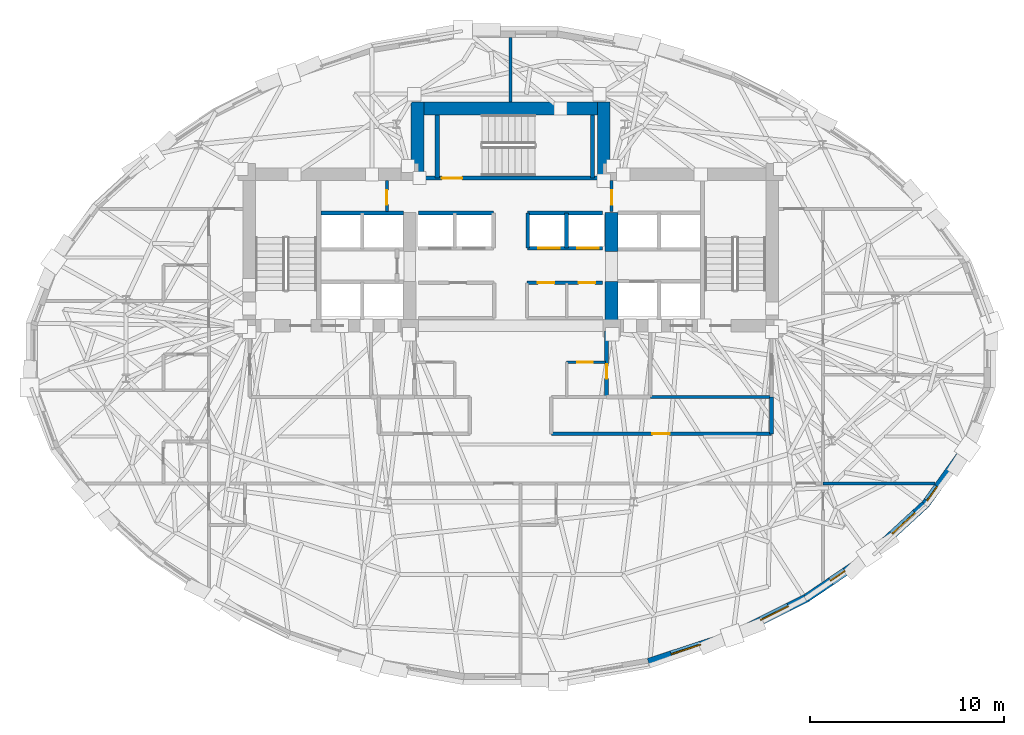
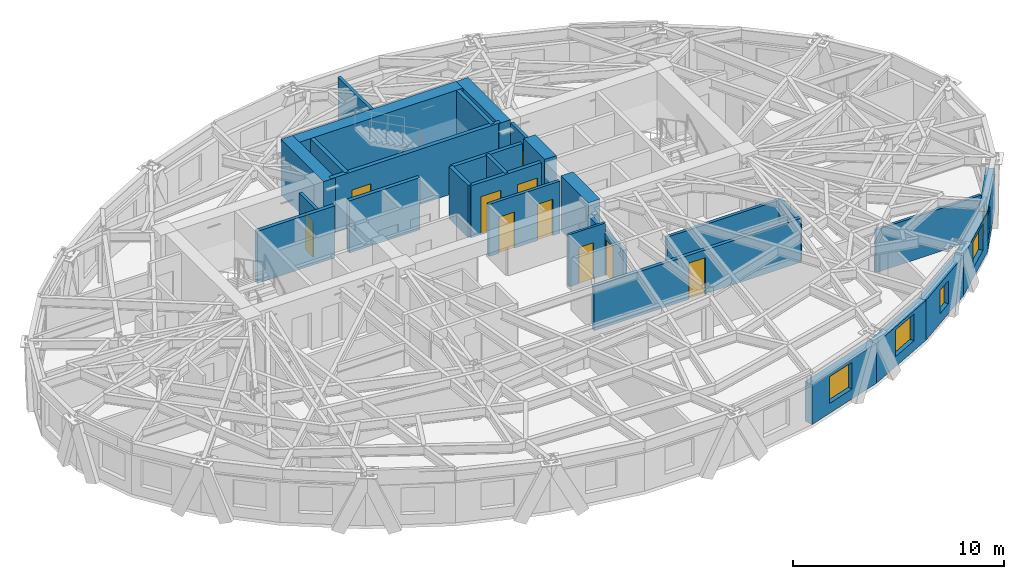
# One storey, part 8 of 14: 29 walls, 10 doors, 5 windows, 15 openings.
"""IFC4 building model written with IfcOpenShell, lengths in metres."""

from ifc_helpers import new_model, si_unit, direction, frame, frame_2d, origin, place, context, subcontext, project, spatial, rectangle, extrude, material, layer, layer_set, type_object, element, fill, save


model = new_model("IFC4")

# Units and contexts
model_context = context("Model", 3, precision=1e-05, world=origin(), true_north=direction((0.0, 1.0)))
body_context = subcontext(model_context, "Body", "Model", "MODEL_VIEW")
ifc_project = project(units=[si_unit("LENGTHUNIT", "METRE"), si_unit("AREAUNIT", "SQUARE_METRE"), si_unit("VOLUMEUNIT", "CUBIC_METRE"), si_unit("PLANEANGLEUNIT", "RADIAN"), si_unit("MASSUNIT", "GRAM", prefix="KILO")], contexts=[model_context])

# Site, building, storey
site_placement = place(None, origin())
site = spatial("IfcSite", under=ifc_project, at=site_placement, CompositionType="ELEMENT")
building_placement = place(site_placement, origin())
building = spatial("IfcBuilding", under=site, at=building_placement, Name="Keldmark Tower", CompositionType="ELEMENT")
storey_placement = place(building_placement, frame((0.0, 0.0, 172.60009765625)))
storey = spatial("IfcBuildingStorey", under=building, at=storey_placement, Name="L47", CompositionType="ELEMENT", Elevation=172.60009765625)

# Wall, opening, door
ifc_material_1 = material(Name="Heavy Acoustic Plumbing Chase Gypsum Assembly", Category="gypsum")
ifc_layer_1 = layer(ifc_material_1, 0.18994140625)
ifc_layer_set_1 = layer_set([ifc_layer_1], Name="Heavy Acoustic Plumbing Chase Gypsum Assembly")
wall_type_1 = type_object("IfcWallType", Name="Heavy Wet Wall 190 mm", PredefinedType="PLUMBINGWALL", material=ifc_layer_set_1)
wall_1_placement = place(storey_placement, frame((2.10009765625, -4.050048828125, 0.0), z_axis=(0.0, 0.0, 1.0), x_axis=(1.0, 0.0, 0.0)))
wall_1 = element("IfcWall", 1, at=wall_1_placement, inside=storey, type_object=wall_type_1, Name="L47 Heavy Wet Wall 190 mm SPK-E-S", PredefinedType="PLUMBINGWALL", context=body_context, shape_type="SweptSolid", body=[
    extrude(rectangle(XDim=11.349853515625, YDim=0.18994140625, at=frame_2d((5.6748046875, 0.0))), origin(), (0.0, 0.0, 1.0), 2.554931640625),
])
opening_1_placement = place(wall_1_placement, frame((5.199951171875, 0.0, 0.0)))
opening_1 = element("IfcOpeningElement", 2, at=opening_1_placement, cuts=wall_1, Name="Opening D-IN090", PredefinedType="OPENING", context=body_context, shape_type="SweptSolid", body=[
    extrude(rectangle(XDim=0.89990234375, YDim=2.10009765625, at=frame_2d((0.449951171875, 1.050048828125))), frame((0.0, 0.10498046875, 0.0), z_axis=(0.0, -1.0, 0.0), x_axis=(1.0, 0.0, 0.0)), (0.0, 0.0, 1.0), 0.2099609375),
])
ifc_material_2 = material(Name="Stained American White Oak Veneer", Category="wood")
door_type_1 = type_object("IfcDoorType", Name="Interior Door 900x2100", OperationType="NOTDEFINED", PredefinedType="DOOR", material=ifc_material_2)
door_1_placement = place(opening_1_placement, origin())
door_1 = element("IfcDoor", 3, at=door_1_placement, inside=storey, type_object=door_type_1, Name="L47 Interior Door 900x2100 D-SPKE1-L47", OperationType="SINGLE_SWING_RIGHT", OverallHeight=2.10009765625, OverallWidth=0.89990234375, PredefinedType="DOOR", context=body_context, shape_type="SweptSolid", body=[
    extrude(rectangle(XDim=0.89990234375, YDim=2.10009765625, at=frame_2d((0.449951171875, 1.050048828125))), frame((0.0, 0.02490234375, 0.0), z_axis=(0.0, -1.0, 0.0), x_axis=(1.0, 0.0, 0.0)), (0.0, 0.0, 1.0), 0.050048828125),
])
fill(opening_1, door_1)

# Wall
wall_2_placement = place(storey_placement, frame((13.449951171875, -4.050048828125, 0.0), z_axis=(0.0, 0.0, 1.0), x_axis=(0.0, 1.0, 0.0)))
element("IfcWall", 4, at=wall_2_placement, inside=storey, type_object=wall_type_1, Name="L47 Heavy Wet Wall 190 mm SPK-E-E", PredefinedType="PLUMBINGWALL", context=body_context, shape_type="SweptSolid", body=[
    extrude(rectangle(XDim=1.900146484375, YDim=0.18994140625, at=frame_2d((0.9501953125, 0.0))), origin(), (0.0, 0.0, 1.0), 2.472900390625),
])

# Wall, opening, door
ifc_material_3 = material(Name="Acoustic Gypsum Board Interior Partition", Category="gypsum")
ifc_layer_2 = layer(ifc_material_3, 0.1298828125)
ifc_layer_set_2 = layer_set([ifc_layer_2], Name="Acoustic Gypsum Board Interior Partition")
wall_type_2 = type_object("IfcWallType", Name="Interior Partition 130 mm", PredefinedType="PARTITIONING", material=ifc_layer_set_2)
wall_3_placement = place(storey_placement, frame((2.889892578125, -0.35009765625, 0.0), z_axis=(0.0, 0.0, 1.0), x_axis=(1.0, 0.0, 0.0)))
wall_3 = element("IfcWall", 5, at=wall_3_placement, inside=storey, type_object=wall_type_2, Name="L47 Interior Partition 130 mm CSC-E-N", PredefinedType="PARTITIONING", context=body_context, shape_type="SweptSolid", body=[
    extrude(rectangle(XDim=1.989990234375, YDim=0.1298828125, at=frame_2d((0.9951171875, 0.0))), origin(), (0.0, 0.0, 1.0), 3.02001953125),
])
opening_2_placement = place(wall_3_placement, frame((0.550048828125, 0.0, 0.0)))
opening_2 = element("IfcOpeningElement", 6, at=opening_2_placement, cuts=wall_3, Name="Opening D-CL078", PredefinedType="OPENING", context=body_context, shape_type="SweptSolid", body=[
    extrude(rectangle(XDim=0.780029296875, YDim=2.10009765625, at=frame_2d((0.39013671875, 1.050048828125))), frame((0.0, 0.074951171875, 0.0), z_axis=(0.0, -1.0, 0.0), x_axis=(1.0, 0.0, 0.0)), (0.0, 0.0, 1.0), 0.14990234375),
])
ifc_material_4 = material(Name="Flush Utility Closet Timber Door", Category="wood")
door_type_2 = type_object("IfcDoorType", Name="Closet Door 780x2100", OperationType="NOTDEFINED", PredefinedType="DOOR", material=ifc_material_4)
door_2_placement = place(opening_2_placement, origin())
door_2 = element("IfcDoor", 7, at=door_2_placement, inside=storey, type_object=door_type_2, Name="L47 Closet Door 780x2100 D-CSCE1-L47", OperationType="SINGLE_SWING_RIGHT", OverallHeight=2.10009765625, OverallWidth=0.780029296875, PredefinedType="DOOR", context=body_context, shape_type="SweptSolid", body=[
    extrude(rectangle(XDim=0.780029296875, YDim=2.10009765625, at=frame_2d((0.39013671875, 1.050048828125))), frame((0.0, 0.02490234375, 0.0), z_axis=(0.0, -1.0, 0.0), x_axis=(1.0, 0.0, 0.0)), (0.0, 0.0, 1.0), 0.050048828125),
])
fill(opening_2, door_2)

# Wall
ifc_material_5 = material(Name="Type X Fire-Rated Gypsum Partition Assembly", Category="gypsum")
ifc_layer_3 = layer(ifc_material_5, 0.1650390625)
ifc_layer_set_3 = layer_set([ifc_layer_3], Name="Type X Fire-Rated Gypsum Partition Assembly")
wall_type_3 = type_object("IfcWallType", Name="Rated Partition 165 mm", PredefinedType="PARTITIONING", material=ifc_layer_set_3)
wall_4_placement = place(storey_placement, frame((7.199951171875, -2.14990234375, 0.0), z_axis=(0.0, 0.0, 1.0), x_axis=(1.0, 0.0, 0.0)))
element("IfcWall", 8, at=wall_4_placement, inside=storey, type_object=wall_type_3, Name="L47 Rated Partition 165 mm FSAE-E-S", PredefinedType="PARTITIONING", context=body_context, shape_type="SweptSolid", body=[
    extrude(rectangle(XDim=6.25, YDim=0.1650390625, at=frame_2d((3.125, 0.0))), origin(), (0.0, 0.0, 1.0), 2.472900390625),
])

# Wall, openings, doors
wall_5_placement = place(storey_placement, frame((0.85009765625, 3.739990234375, 0.0), z_axis=(0.0, 0.0, 1.0), x_axis=(1.0, 0.0, 0.0)))
wall_5 = element("IfcWall", 9, at=wall_5_placement, inside=storey, type_object=wall_type_3, Name="L47 Rated Partition 165 mm REC-LE-N", PredefinedType="PARTITIONING", context=body_context, shape_type="SweptSolid", body=[
    extrude(rectangle(XDim=3.889892578125, YDim=0.1650390625, at=frame_2d((1.94482421875, 0.0))), origin(), (0.0, 0.0, 1.0), 3.02001953125),
])
opening_3_placement = place(wall_5_placement, frame((0.550048828125, 0.0, 0.0)))
opening_3 = element("IfcOpeningElement", 10, at=opening_3_placement, cuts=wall_5, Name="Opening D-SV085", PredefinedType="OPENING", context=body_context, shape_type="SweptSolid", body=[
    extrude(rectangle(XDim=0.85009765625, YDim=2.10009765625, at=frame_2d((0.425048828125, 1.050048828125))), frame((0.0, 0.092529296875, 0.0), z_axis=(0.0, -1.0, 0.0), x_axis=(1.0, 0.0, 0.0)), (0.0, 0.0, 1.0), 0.18505859375),
])
opening_4_placement = place(wall_5_placement, frame((2.64990234375, 0.0, 0.0)))
opening_4 = element("IfcOpeningElement", 11, at=opening_4_placement, cuts=wall_5, Name="Opening D-SV085", PredefinedType="OPENING", context=body_context, shape_type="SweptSolid", body=[
    extrude(rectangle(XDim=0.85009765625, YDim=2.10009765625, at=frame_2d((0.425048828125, 1.050048828125))), frame((0.0, 0.092529296875, 0.0), z_axis=(0.0, -1.0, 0.0), x_axis=(1.0, 0.0, 0.0)), (0.0, 0.0, 1.0), 0.18505859375),
])
ifc_material_6 = material(Name="Painted Hollow Metal Door Assembly", Category="metal")
door_type_3 = type_object("IfcDoorType", Name="Service Door 850x2100", OperationType="NOTDEFINED", PredefinedType="DOOR", material=ifc_material_6)
door_3_placement = place(opening_3_placement, origin())
door_3 = element("IfcDoor", 12, at=door_3_placement, inside=storey, type_object=door_type_3, Name="L47 Service Door 850x2100 D-RECLE1-L47", OperationType="SINGLE_SWING_LEFT", OverallHeight=2.10009765625, OverallWidth=0.85009765625, PredefinedType="DOOR", context=body_context, shape_type="SweptSolid", body=[
    extrude(rectangle(XDim=0.85009765625, YDim=2.10009765625, at=frame_2d((0.425048828125, 1.050048828125))), frame((0.0, 0.02490234375, 0.0), z_axis=(0.0, -1.0, 0.0), x_axis=(1.0, 0.0, 0.0)), (0.0, 0.0, 1.0), 0.050048828125),
])
fill(opening_3, door_3)
door_4_placement = place(opening_4_placement, origin())
door_4 = element("IfcDoor", 13, at=door_4_placement, inside=storey, type_object=door_type_3, Name="L47 Service Door 850x2100 D-RECLE2-L47", OperationType="SINGLE_SWING_RIGHT", OverallHeight=2.10009765625, OverallWidth=0.85009765625, PredefinedType="DOOR", context=body_context, shape_type="SweptSolid", body=[
    extrude(rectangle(XDim=0.85009765625, YDim=2.10009765625, at=frame_2d((0.425048828125, 1.050048828125))), frame((0.0, 0.02490234375, 0.0), z_axis=(0.0, -1.0, 0.0), x_axis=(1.0, 0.0, 0.0)), (0.0, 0.0, 1.0), 0.050048828125),
])
fill(opening_4, door_4)

# Wall, opening, door
wall_6_placement = place(storey_placement, frame((-6.3798828125, 7.419921875, 0.0), z_axis=(0.0, 0.0, 1.0), x_axis=(0.0, 1.0, 0.0)))
wall_6 = element("IfcWall", 14, at=wall_6_placement, inside=storey, type_object=wall_type_3, Name="L47 Rated Partition 165 mm CS-NW-E", PredefinedType="PARTITIONING", context=body_context, shape_type="SweptSolid", body=[
    extrude(rectangle(XDim=1.580078125, YDim=0.1650390625, at=frame_2d((0.7900390625, 0.0))), origin(), (0.0, 0.0, 1.0), 3.02001953125),
])
opening_5_placement = place(wall_6_placement, frame((0.35009765625, 0.0, 0.0)))
opening_5 = element("IfcOpeningElement", 15, at=opening_5_placement, cuts=wall_6, Name="Opening D-RS075", PredefinedType="OPENING", context=body_context, shape_type="SweptSolid", body=[
    extrude(rectangle(XDim=0.75, YDim=2.10009765625, at=frame_2d((0.375, 1.050048828125))), frame((0.0, 0.092529296875, 0.0), z_axis=(0.0, -1.0, 0.0), x_axis=(1.0, 0.0, 0.0)), (0.0, 0.0, 1.0), 0.18505859375),
])
ifc_material_7 = material(Name="Galvanized Fire-Rated Access Leaf", Category="metal")
door_type_4 = type_object("IfcDoorType", Name="Riser Access Door 750x2100", OperationType="NOTDEFINED", PredefinedType="DOOR", material=ifc_material_7)
door_5_placement = place(opening_5_placement, origin())
door_5 = element("IfcDoor", 16, at=door_5_placement, inside=storey, type_object=door_type_4, Name="L47 Riser Access Door 750x2100 D-CSNW1-L47", OperationType="SINGLE_SWING_RIGHT", OverallHeight=2.10009765625, OverallWidth=0.75, PredefinedType="DOOR", context=body_context, shape_type="SweptSolid", body=[
    extrude(rectangle(XDim=0.75, YDim=2.10009765625, at=frame_2d((0.375, 1.050048828125))), frame((0.0, 0.02490234375, 0.0), z_axis=(0.0, -1.0, 0.0), x_axis=(1.0, 0.0, 0.0)), (0.0, 0.0, 1.0), 0.050048828125),
])
fill(opening_5, door_5)

wall_7_placement = place(storey_placement, frame((5.199951171875, 7.419921875, 0.0), z_axis=(0.0, 0.0, 1.0), x_axis=(0.0, 1.0, 0.0)))
wall_7 = element("IfcWall", 17, at=wall_7_placement, inside=storey, type_object=wall_type_3, Name="L47 Rated Partition 165 mm CS-NE-W", PredefinedType="PARTITIONING", context=body_context, shape_type="SweptSolid", body=[
    extrude(rectangle(XDim=1.580078125, YDim=0.1650390625, at=frame_2d((0.7900390625, 0.0))), origin(), (0.0, 0.0, 1.0), 3.02001953125),
])
opening_6_placement = place(wall_7_placement, frame((0.35009765625, 0.0, 0.0)))
opening_6 = element("IfcOpeningElement", 18, at=opening_6_placement, cuts=wall_7, Name="Opening D-RS075", PredefinedType="OPENING", context=body_context, shape_type="SweptSolid", body=[
    extrude(rectangle(XDim=0.75, YDim=2.10009765625, at=frame_2d((0.375, 1.050048828125))), frame((0.0, 0.092529296875, 0.0), z_axis=(0.0, -1.0, 0.0), x_axis=(1.0, 0.0, 0.0)), (0.0, 0.0, 1.0), 0.18505859375),
])
door_6_placement = place(opening_6_placement, origin())
door_6 = element("IfcDoor", 19, at=door_6_placement, inside=storey, type_object=door_type_4, Name="L47 Riser Access Door 750x2100 D-CSNE1-L47", OperationType="SINGLE_SWING_LEFT", OverallHeight=2.10009765625, OverallWidth=0.75, PredefinedType="DOOR", context=body_context, shape_type="SweptSolid", body=[
    extrude(rectangle(XDim=0.75, YDim=2.10009765625, at=frame_2d((0.375, 1.050048828125))), frame((0.0, 0.02490234375, 0.0), z_axis=(0.0, -1.0, 0.0), x_axis=(1.0, 0.0, 0.0)), (0.0, 0.0, 1.0), 0.050048828125),
])
fill(opening_6, door_6)

# Wall
wall_8_placement = place(storey_placement, frame((0.0, 13.050048828125, 0.0), z_axis=(0.0, 0.0, 1.0), x_axis=(0.0, 1.0, 0.0)))
element("IfcWall", 20, at=wall_8_placement, inside=storey, type_object=wall_type_3, Name="L47 Rated Partition 165 mm HN-DIV", PredefinedType="PARTITIONING", context=body_context, shape_type="SweptSolid", body=[
    extrude(rectangle(XDim=3.336181640625, YDim=0.1650390625, at=frame_2d((1.66796875, 0.0))), origin(), (0.0, 0.0, 1.0), 3.02001953125),
])

# Wall, opening, door
ifc_material_8 = material(Name="Fire-Resistant Type X Gypsum Shaftliner Coreboard", Category="gypsum")
ifc_layer_4 = layer(ifc_material_8, 0.199951171875)
ifc_layer_set_4 = layer_set([ifc_layer_4], Name="Fire-Resistant Type X Gypsum Shaftliner Coreboard")
wall_type_4 = type_object("IfcWallType", Name="Shaft Wall 200 mm", PredefinedType="SOLIDWALL", material=ifc_layer_set_4)
wall_9_placement = place(storey_placement, frame((4.949951171875, -2.14990234375, 0.0), z_axis=(0.0, 0.0, 1.0), x_axis=(0.0, 1.0, 0.0)))
wall_9 = element("IfcWall", 21, at=wall_9_placement, inside=storey, type_object=wall_type_4, Name="L47 Shaft Wall 200 mm RIS-SE-W", PredefinedType="SOLIDWALL", context=body_context, shape_type="SweptSolid", body=[
    extrude(rectangle(XDim=3.39990234375, YDim=0.199951171875, at=frame_2d((1.699951171875, 0.0))), origin(), (0.0, 0.0, 1.0), 2.472900390625),
])
opening_7_placement = place(wall_9_placement, frame((0.949951171875, 0.0, 0.0)))
opening_7 = element("IfcOpeningElement", 22, at=opening_7_placement, cuts=wall_9, Name="Opening D-RS075", PredefinedType="OPENING", context=body_context, shape_type="SweptSolid", body=[
    extrude(rectangle(XDim=0.75, YDim=2.10009765625, at=frame_2d((0.375, 1.050048828125))), frame((0.0, 0.10986328125, 0.0), z_axis=(0.0, -1.0, 0.0), x_axis=(1.0, 0.0, 0.0)), (0.0, 0.0, 1.0), 0.219970703125),
])
door_7_placement = place(opening_7_placement, origin())
door_7 = element("IfcDoor", 23, at=door_7_placement, inside=storey, type_object=door_type_4, Name="L47 Riser Access Door 750x2100 D-RISSE-L47", OperationType="SINGLE_SWING_LEFT", OverallHeight=2.10009765625, OverallWidth=0.75, PredefinedType="DOOR", context=body_context, shape_type="SweptSolid", body=[
    extrude(rectangle(XDim=0.75, YDim=2.10009765625, at=frame_2d((0.375, 1.050048828125))), frame((0.0, 0.02490234375, 0.0), z_axis=(0.0, -1.0, 0.0), x_axis=(1.0, 0.0, 0.0)), (0.0, 0.0, 1.0), 0.050048828125),
])
fill(opening_7, door_7)

# Wall
wall_10_placement = place(storey_placement, frame((-9.780029296875, 7.330078125, 0.0), z_axis=(0.0, 0.0, 1.0), x_axis=(1.0, 0.0, 0.0)))
element("IfcWall", 24, at=wall_10_placement, inside=storey, type_object=wall_type_4, Name="L47 Shaft Wall 200 mm HW-W-TOP", PredefinedType="SOLIDWALL", context=body_context, shape_type="SweptSolid", body=[
    extrude(rectangle(XDim=4.255126953125, YDim=0.199951171875, at=frame_2d((2.12744140625, 0.0))), origin(), (0.0, 0.0, 1.0), 3.02001953125),
])

# Wall, openings, doors
wall_11_placement = place(storey_placement, frame((0.8798828125, 5.52001953125, 0.0), z_axis=(0.0, 0.0, 1.0), x_axis=(1.0, 0.0, 0.0)))
wall_11 = element("IfcWall", 25, at=wall_11_placement, inside=storey, type_object=wall_type_4, Name="L47 Shaft Wall 200 mm MID-S-E", PredefinedType="SOLIDWALL", context=body_context, shape_type="SweptSolid", body=[
    extrude(rectangle(XDim=3.860107421875, YDim=0.199951171875, at=frame_2d((1.93017578125, 0.0))), origin(), (0.0, 0.0, 1.0), 3.02001953125),
])
opening_8_placement = place(wall_11_placement, frame((0.550048828125, 0.0, 0.0)))
opening_8 = element("IfcOpeningElement", 26, at=opening_8_placement, cuts=wall_11, Name="Opening LD-110", PredefinedType="OPENING", context=body_context, shape_type="SweptSolid", body=[
    extrude(rectangle(XDim=1.10009765625, YDim=2.199951171875, at=frame_2d((0.550048828125, 1.10009765625))), frame((0.0, 0.10986328125, 0.0), z_axis=(0.0, -1.0, 0.0), x_axis=(1.0, 0.0, 0.0)), (0.0, 0.0, 1.0), 0.219970703125),
])
opening_9_placement = place(wall_11_placement, frame((2.550048828125, 0.0, 0.0)))
opening_9 = element("IfcOpeningElement", 27, at=opening_9_placement, cuts=wall_11, Name="Opening LD-110", PredefinedType="OPENING", context=body_context, shape_type="SweptSolid", body=[
    extrude(rectangle(XDim=1.10009765625, YDim=2.199951171875, at=frame_2d((0.550048828125, 1.10009765625))), frame((0.0, 0.10986328125, 0.0), z_axis=(0.0, -1.0, 0.0), x_axis=(1.0, 0.0, 0.0)), (0.0, 0.0, 1.0), 0.219970703125),
])
ifc_material_9 = material(Name="Brushed Bronze Hoistway Sliding Leaf", Category="metal")
door_type_5 = type_object("IfcDoorType", Name="Lift Landing Sliding Door 1100x2200", OperationType="SLIDING_TO_LEFT", PredefinedType="DOOR", material=ifc_material_9)
door_8_placement = place(opening_8_placement, origin())
door_8 = element("IfcDoor", 28, at=door_8_placement, inside=storey, type_object=door_type_5, Name="L47 Lift Landing Sliding Door 1100x2200 LD-EL-M3-L47", OperationType="SLIDING_TO_LEFT", OverallHeight=2.199951171875, OverallWidth=1.10009765625, PredefinedType="DOOR", context=body_context, shape_type="SweptSolid", body=[
    extrude(rectangle(XDim=1.10009765625, YDim=2.199951171875, at=frame_2d((0.550048828125, 1.10009765625))), frame((0.0, 0.02490234375, 0.0), z_axis=(0.0, -1.0, 0.0), x_axis=(1.0, 0.0, 0.0)), (0.0, 0.0, 1.0), 0.050048828125),
])
fill(opening_8, door_8)
door_9_placement = place(opening_9_placement, origin())
door_9 = element("IfcDoor", 29, at=door_9_placement, inside=storey, type_object=door_type_5, Name="L47 Lift Landing Sliding Door 1100x2200 LD-EL-M4-L47", OperationType="SLIDING_TO_LEFT", OverallHeight=2.199951171875, OverallWidth=1.10009765625, PredefinedType="DOOR", context=body_context, shape_type="SweptSolid", body=[
    extrude(rectangle(XDim=1.10009765625, YDim=2.199951171875, at=frame_2d((0.550048828125, 1.10009765625))), frame((0.0, 0.02490234375, 0.0), z_axis=(0.0, -1.0, 0.0), x_axis=(1.0, 0.0, 0.0)), (0.0, 0.0, 1.0), 0.050048828125),
])
fill(opening_9, door_9)

# Walls
for number, where, z_axis, x_axis, name in (
    (30, (-4.739990234375, 7.330078125, 0.0), (0.0, 0.0, 1.0), (1.0, 0.0, 0.0), "L47 Shaft Wall 200 mm MID-N-W"),
    (31, (0.8798828125, 7.330078125, 0.0), (0.0, 0.0, 1.0), (1.0, 0.0, 0.0), "L47 Shaft Wall 200 mm MID-N-E"),
):
    element("IfcWall", number, at=place(storey_placement, frame(where, z_axis=z_axis, x_axis=x_axis)), inside=storey, type_object=wall_type_4, Name=name, PredefinedType="SOLIDWALL", context=body_context, shape_type="SweptSolid", body=[
        extrude(rectangle(XDim=3.860107421875, YDim=0.199951171875, at=frame_2d((1.93017578125, 0.0))), origin(), (0.0, 0.0, 1.0), 3.02001953125),
    ])
for number, where, z_axis, x_axis, name in (
    (32, (2.8798828125, 5.52001953125, 0.0), (0.0, 0.0, 1.0), (0.0, 1.0, 0.0), "L47 Shaft Wall 200 mm MID-M-E"),
    (33, (0.8798828125, 5.52001953125, 0.0), (0.0, 0.0, 1.0), (0.0, 1.0, 0.0), "L47 Shaft Wall 200 mm MID-C-E"),
):
    element("IfcWall", number, at=place(storey_placement, frame(where, z_axis=z_axis, x_axis=x_axis)), inside=storey, type_object=wall_type_4, Name=name, PredefinedType="SOLIDWALL", context=body_context, shape_type="SweptSolid", body=[
        extrude(rectangle(XDim=1.81005859375, YDim=0.199951171875, at=frame_2d((0.905029296875, 0.0))), origin(), (0.0, 0.0, 1.0), 3.02001953125),
    ])

# Wall, opening, door
ifc_material_10 = material(Name="Concrete C50/60", Category="concrete")
ifc_layer_5 = layer(ifc_material_10, 0.219970703125)
ifc_layer_set_5 = layer_set([ifc_layer_5], Name="Concrete C50/60")
wall_type_5 = type_object("IfcWallType", Name="Stair Core Shear Wall 220 mm", PredefinedType="SHEAR", material=ifc_layer_set_5)
wall_12_placement = place(storey_placement, frame((-4.699951171875, 9.139892578125, 0.0), z_axis=(0.0, 0.0, 1.0), x_axis=(1.0, 0.0, 0.0)))
wall_12 = element("IfcWall", 34, at=wall_12_placement, inside=storey, type_object=wall_type_5, Name="L47 Central Stair Core South Shear Wall", PredefinedType="SHEAR", context=body_context, shape_type="SweptSolid", body=[
    extrude(rectangle(XDim=9.300048828125, YDim=0.219970703125, at=frame_2d((4.64990234375, 0.0))), origin(), (0.0, 0.0, 1.0), 3.199951171875),
])
opening_10_placement = place(wall_12_placement, frame((1.14990234375, 0.0, 0.0)))
opening_10 = element("IfcOpeningElement", 35, at=opening_10_placement, cuts=wall_12, Name="Opening D-ST105", PredefinedType="OPENING", context=body_context, shape_type="SweptSolid", body=[
    extrude(rectangle(XDim=1.050048828125, YDim=2.14990234375, at=frame_2d((0.52490234375, 1.074951171875))), frame((0.0, 0.119873046875, 0.0), z_axis=(0.0, -1.0, 0.0), x_axis=(1.0, 0.0, 0.0)), (0.0, 0.0, 1.0), 0.239990234375),
])
ifc_material_11 = material(Name="Hollow Metal Fire-Rated Door Assembly", Category="metal")
door_type_6 = type_object("IfcDoorType", Name="Stair Fire Door 1050x2150", OperationType="NOTDEFINED", PredefinedType="DOOR", material=ifc_material_11)
door_10_placement = place(opening_10_placement, origin())
door_10 = element("IfcDoor", 36, at=door_10_placement, inside=storey, type_object=door_type_6, Name="L47 Stair Fire Door 1050x2150 D-ST3-L47", OperationType="SINGLE_SWING_RIGHT", OverallHeight=2.14990234375, OverallWidth=1.050048828125, PredefinedType="DOOR", context=body_context, shape_type="SweptSolid", body=[
    extrude(rectangle(XDim=1.050048828125, YDim=2.14990234375, at=frame_2d((0.52490234375, 1.074951171875))), frame((0.0, 0.02490234375, 0.0), z_axis=(0.0, -1.0, 0.0), x_axis=(1.0, 0.0, 0.0)), (0.0, 0.0, 1.0), 0.050048828125),
])
fill(opening_10, door_10)

# Walls
for number, where, z_axis, x_axis, name in (
    (37, (-3.784912109375, 9.139892578125, 0.0), (0.0, 0.0, 1.0), (0.0, 1.0, 0.0), "L47 Central Stair Core West Shear Wall"),
    (38, (4.215087890625, 9.139892578125, 0.0), (0.0, 0.0, 1.0), (0.0, 1.0, 0.0), "L47 Central Stair Core East Shear Wall"),
):
    element("IfcWall", number, at=place(storey_placement, frame(where, z_axis=z_axis, x_axis=x_axis)), inside=storey, type_object=wall_type_5, Name=name, PredefinedType="SHEAR", context=body_context, shape_type="SweptSolid", body=[
        extrude(rectangle(XDim=3.260009765625, YDim=0.219970703125, at=frame_2d((1.6298828125, 0.0))), origin(), (0.0, 0.0, 1.0), 3.199951171875),
    ])

# Wall, opening, window
ifc_material_12 = material(Name="Ironspot Manganese Brick and Kasota Buff Limestone Spandrel Assembly", Category="masonry")
ifc_layer_6 = layer(ifc_material_12, 0.43994140625)
ifc_layer_set_6 = layer_set([ifc_layer_6], Name="Ironspot Manganese Brick and Kasota Buff Limestone Spandrel Assembly")
wall_type_6 = type_object("IfcWallType", Name="Tower Brick Pier and Spandrel Wall 440 mm", PredefinedType="STANDARD", material=ifc_layer_set_6)
wall_13_placement = place(storey_placement, frame((11.455078125, -14.406005859375, 0.0), z_axis=(0.0, 0.0, 1.0), x_axis=(-0.950025190485, -0.312173249084, 0.0)))
wall_13 = element("IfcWall", 39, at=wall_13_placement, inside=storey, type_object=wall_type_6, Name="L47 Exterior Brick and Spandrel Wall 26", PredefinedType="STANDARD", context=body_context, shape_type="SweptSolid", body=[
    extrude(rectangle(XDim=4.573486328125, YDim=0.43994140625, at=frame_2d((2.28662109375, 0.0))), origin(), (0.0, 0.0, 1.0), 2.31494140625),
])
opening_11_placement = place(wall_13_placement, frame((1.734130859375, 0.0, 0.580078125)))
opening_11 = element("IfcOpeningElement", 40, at=opening_11_placement, cuts=wall_13, Name="Opening W-04", PredefinedType="OPENING", context=body_context, shape_type="SweptSolid", body=[
    extrude(rectangle(XDim=1.60009765625, YDim=1.550048828125, at=frame_2d((0.800048828125, 0.77490234375))), frame((0.0, 0.22998046875, 0.0), z_axis=(0.0, -1.0, 0.0), x_axis=(1.0, 0.0, 0.0)), (0.0, 0.0, 1.0), 0.4599609375),
])
ifc_material_13 = material(Name="Thermally Broken Anodized Aluminum and Triple Low-E Argon Glazing", Category="aluminium")
window_type_1 = type_object("IfcWindowType", Name="Hotel Deep-Set Operable Window 1600x1550", PartitioningType="DOUBLE_PANEL_HORIZONTAL", PredefinedType="WINDOW", material=ifc_material_13)
window_1_placement = place(opening_11_placement, origin())
window_1 = element("IfcWindow", 41, at=window_1_placement, inside=storey, type_object=window_type_1, Name="L47 Deep-Set Window 26", OverallHeight=1.550048828125, OverallWidth=1.60009765625, PartitioningType="SINGLE_PANEL", PredefinedType="WINDOW", context=body_context, shape_type="SweptSolid", body=[
    extrude(rectangle(XDim=1.60009765625, YDim=1.550048828125, at=frame_2d((0.800048828125, 0.77490234375))), frame((0.0, -0.010009765625, 0.0), z_axis=(0.0, -1.0, 0.0), x_axis=(1.0, 0.0, 0.0)), (0.0, 0.0, 1.0), 0.06005859375),
])
fill(opening_11, window_1)

wall_14_placement = place(storey_placement, frame((15.2685546875, -12.49658203125, 0.0), z_axis=(0.0, 0.0, 1.0), x_axis=(-0.894427191, -0.4472135955, 0.0)))
wall_14 = element("IfcWall", 42, at=wall_14_placement, inside=storey, type_object=wall_type_6, Name="L47 Exterior Brick and Spandrel Wall 27", PredefinedType="STANDARD", context=body_context, shape_type="SweptSolid", body=[
    extrude(rectangle(XDim=4.296875, YDim=0.43994140625, at=frame_2d((2.1484375, 0.0))), origin(), (0.0, 0.0, 1.0), 2.31494140625),
])
opening_12_placement = place(wall_14_placement, frame((1.048828125, 0.0, 0.580078125)))
opening_12 = element("IfcOpeningElement", 43, at=opening_12_placement, cuts=wall_14, Name="Opening W-04", PredefinedType="OPENING", context=body_context, shape_type="SweptSolid", body=[
    extrude(rectangle(XDim=1.60009765625, YDim=1.550048828125, at=frame_2d((0.800048828125, 0.77490234375))), frame((0.0, 0.22998046875, 0.0), z_axis=(0.0, -1.0, 0.0), x_axis=(1.0, 0.0, 0.0)), (0.0, 0.0, 1.0), 0.4599609375),
])
window_2_placement = place(opening_12_placement, origin())
window_2 = element("IfcWindow", 44, at=window_2_placement, inside=storey, type_object=window_type_1, Name="L47 Deep-Set Window 27", OverallHeight=1.550048828125, OverallWidth=1.60009765625, PartitioningType="SINGLE_PANEL", PredefinedType="WINDOW", context=body_context, shape_type="SweptSolid", body=[
    extrude(rectangle(XDim=1.60009765625, YDim=1.550048828125, at=frame_2d((0.800048828125, 0.77490234375))), frame((0.0, -0.010009765625, 0.0), z_axis=(0.0, -1.0, 0.0), x_axis=(1.0, 0.0, 0.0)), (0.0, 0.0, 1.0), 0.06005859375),
])
fill(opening_12, window_2)

wall_15_placement = place(storey_placement, frame((18.601318359375, -10.235107421875, 0.0), z_axis=(0.0, 0.0, 1.0), x_axis=(-0.827757295322, -0.561086321382, 0.0)))
wall_15 = element("IfcWall", 45, at=wall_15_placement, inside=storey, type_object=wall_type_6, Name="L47 Exterior Brick and Spandrel Wall 28", PredefinedType="STANDARD", context=body_context, shape_type="SweptSolid", body=[
    extrude(rectangle(XDim=4.056640625, YDim=0.43994140625, at=frame_2d((2.0283203125, 0.0))), origin(), (0.0, 0.0, 1.0), 2.31494140625),
])
opening_13_placement = place(wall_15_placement, frame((1.62744140625, 0.0, 0.580078125)))
opening_13 = element("IfcOpeningElement", 46, at=opening_13_placement, cuts=wall_15, Name="Opening W-09", PredefinedType="OPENING", context=body_context, shape_type="SweptSolid", body=[
    extrude(rectangle(XDim=0.89990234375, YDim=1.35009765625, at=frame_2d((0.449951171875, 0.675048828125))), frame((0.0, 0.22998046875, 0.0), z_axis=(0.0, -1.0, 0.0), x_axis=(1.0, 0.0, 0.0)), (0.0, 0.0, 1.0), 0.4599609375),
])
ifc_material_14 = material(Name="Thermally Broken Anodized Aluminum and Triple Low-E Argon Glazing", Category="aluminium")
window_type_2 = type_object("IfcWindowType", Name="Corner Pier Deep-Set Window 900x1350", PartitioningType="SINGLE_PANEL", PredefinedType="WINDOW", material=ifc_material_14)
window_3_placement = place(opening_13_placement, origin())
window_3 = element("IfcWindow", 47, at=window_3_placement, inside=storey, type_object=window_type_2, Name="L47 Deep-Set Window 28", OverallHeight=1.35009765625, OverallWidth=0.89990234375, PartitioningType="SINGLE_PANEL", PredefinedType="WINDOW", context=body_context, shape_type="SweptSolid", body=[
    extrude(rectangle(XDim=0.89990234375, YDim=1.35009765625, at=frame_2d((0.449951171875, 0.675048828125))), frame((0.0, -0.010009765625, 0.0), z_axis=(0.0, -1.0, 0.0), x_axis=(1.0, 0.0, 0.0)), (0.0, 0.0, 1.0), 0.06005859375),
])
fill(opening_13, window_3)

wall_16_placement = place(storey_placement, frame((21.410400390625, -7.64990234375, 0.0), z_axis=(0.0, 0.0, 1.0), x_axis=(-0.736282263947, -0.676674536093, 0.0)))
wall_16 = element("IfcWall", 48, at=wall_16_placement, inside=storey, type_object=wall_type_6, Name="L47 Exterior Brick and Spandrel Wall 29", PredefinedType="STANDARD", context=body_context, shape_type="SweptSolid", body=[
    extrude(rectangle(XDim=3.85009765625, YDim=0.43994140625, at=frame_2d((1.925048828125, 0.0))), origin(), (0.0, 0.0, 1.0), 2.31494140625),
])
opening_14_placement = place(wall_16_placement, frame((0.735595703125, 0.0, 0.580078125)))
opening_14 = element("IfcOpeningElement", 49, at=opening_14_placement, cuts=wall_16, Name="Opening W-04", PredefinedType="OPENING", context=body_context, shape_type="SweptSolid", body=[
    extrude(rectangle(XDim=1.60009765625, YDim=1.550048828125, at=frame_2d((0.800048828125, 0.77490234375))), frame((0.0, 0.22998046875, 0.0), z_axis=(0.0, -1.0, 0.0), x_axis=(1.0, 0.0, 0.0)), (0.0, 0.0, 1.0), 0.4599609375),
])
window_4_placement = place(opening_14_placement, origin())
window_4 = element("IfcWindow", 50, at=window_4_placement, inside=storey, type_object=window_type_1, Name="L47 Deep-Set Window 29", OverallHeight=1.550048828125, OverallWidth=1.60009765625, PartitioningType="SINGLE_PANEL", PredefinedType="WINDOW", context=body_context, shape_type="SweptSolid", body=[
    extrude(rectangle(XDim=1.60009765625, YDim=1.550048828125, at=frame_2d((0.800048828125, 0.77490234375))), frame((0.0, -0.010009765625, 0.0), z_axis=(0.0, -1.0, 0.0), x_axis=(1.0, 0.0, 0.0)), (0.0, 0.0, 1.0), 0.06005859375),
])
fill(opening_14, window_4)

wall_17_placement = place(storey_placement, frame((23.486572265625, -4.738525390625, 0.0), z_axis=(0.0, 0.0, 1.0), x_axis=(-0.581678195571, -0.813419004448, 0.0)))
wall_17 = element("IfcWall", 51, at=wall_17_placement, inside=storey, type_object=wall_type_6, Name="L47 Exterior Brick and Spandrel Wall 30", PredefinedType="STANDARD", context=body_context, shape_type="SweptSolid", body=[
    extrude(rectangle(XDim=3.620849609375, YDim=0.43994140625, at=frame_2d((1.810546875, 0.0))), origin(), (0.0, 0.0, 1.0), 2.31494140625),
])
opening_15_placement = place(wall_17_placement, frame((2.52099609375, 0.0, 0.580078125)))
opening_15 = element("IfcOpeningElement", 52, at=opening_15_placement, cuts=wall_17, Name="Opening W-09", PredefinedType="OPENING", context=body_context, shape_type="SweptSolid", body=[
    extrude(rectangle(XDim=0.89990234375, YDim=1.35009765625, at=frame_2d((0.449951171875, 0.675048828125))), frame((0.0, 0.22998046875, 0.0), z_axis=(0.0, -1.0, 0.0), x_axis=(1.0, 0.0, 0.0)), (0.0, 0.0, 1.0), 0.4599609375),
])
window_5_placement = place(opening_15_placement, origin())
window_5 = element("IfcWindow", 53, at=window_5_placement, inside=storey, type_object=window_type_2, Name="L47 Deep-Set Window 30", OverallHeight=1.35009765625, OverallWidth=0.89990234375, PartitioningType="SINGLE_PANEL", PredefinedType="WINDOW", context=body_context, shape_type="SweptSolid", body=[
    extrude(rectangle(XDim=0.89990234375, YDim=1.35009765625, at=frame_2d((0.449951171875, 0.675048828125))), frame((0.0, -0.010009765625, 0.0), z_axis=(0.0, -1.0, 0.0), x_axis=(1.0, 0.0, 0.0)), (0.0, 0.0, 1.0), 0.06005859375),
])
fill(opening_15, window_5)

# Walls
ifc_material_15 = material(Name="Concrete C50/60", Category="concrete")
ifc_layer_7 = layer(ifc_material_15, 0.64990234375)
ifc_layer_set_7 = layer_set([ifc_layer_7], Name="Concrete C50/60")
wall_type_7 = type_object("IfcWallType", Name="Upper-Mid Core Shear Wall 650 mm", PredefinedType="SHEAR", material=ifc_layer_set_7)
wall_18_placement = place(storey_placement, frame((5.199951171875, 1.199951171875, 0.0), z_axis=(0.0, 0.0, 1.0), x_axis=(0.0, 1.0, 0.0)))
element("IfcWall", 54, at=wall_18_placement, inside=storey, type_object=wall_type_7, Name="L47 East Core Inner Shear Pier South", PredefinedType="SHEAR", context=body_context, shape_type="SweptSolid", body=[
    extrude(rectangle(XDim=2.60009765625, YDim=0.64990234375, at=frame_2d((1.300048828125, 0.0))), origin(), (0.0, 0.0, 1.0), 3.199951171875),
])
wall_19_placement = place(storey_placement, frame((5.199951171875, 5.35009765625, 0.0), z_axis=(0.0, 0.0, 1.0), x_axis=(0.0, 1.0, 0.0)))
element("IfcWall", 55, at=wall_19_placement, inside=storey, type_object=wall_type_7, Name="L47 East Core Inner Shear Pier North", PredefinedType="SHEAR", context=body_context, shape_type="SweptSolid", body=[
    extrude(rectangle(XDim=2.0, YDim=0.64990234375, at=frame_2d((1.0, 0.0))), origin(), (0.0, 0.0, 1.0), 3.199951171875),
])
wall_20_placement = place(storey_placement, frame((-5.125, 12.72509765625, 0.0), z_axis=(0.0, 0.0, 1.0), x_axis=(1.0, 0.0, 0.0)))
element("IfcWall", 56, at=wall_20_placement, inside=storey, type_object=wall_type_7, Name="L47 North Core Shear Wall", PredefinedType="SHEAR", context=body_context, shape_type="SweptSolid", body=[
    extrude(rectangle(XDim=10.25, YDim=0.64990234375, at=frame_2d((5.125, 0.0))), origin(), (0.0, 0.0, 1.0), 3.199951171875),
])
for number, where, z_axis, x_axis, name in (
    (57, (-4.800048828125, 9.0, 0.0), (0.0, 0.0, 1.0), (0.0, 1.0, 0.0), "L47 North Core West Shear Wall"),
    (58, (4.800048828125, 9.0, 0.0), (0.0, 0.0, 1.0), (0.0, 1.0, 0.0), "L47 North Core East Shear Wall"),
):
    element("IfcWall", number, at=place(storey_placement, frame(where, z_axis=z_axis, x_axis=x_axis)), inside=storey, type_object=wall_type_7, Name=name, PredefinedType="SHEAR", context=body_context, shape_type="SweptSolid", body=[
        extrude(rectangle(XDim=4.050048828125, YDim=0.64990234375, at=frame_2d((2.02490234375, 0.0))), origin(), (0.0, 0.0, 1.0), 3.199951171875),
    ])
ifc_material_16 = material(Name="Moisture-Resistant Gypsum Plumbing Partition", Category="gypsum")
ifc_layer_8 = layer(ifc_material_16, 0.14990234375)
ifc_layer_set_8 = layer_set([ifc_layer_8], Name="Moisture-Resistant Gypsum Plumbing Partition")
wall_type_8 = type_object("IfcWallType", Name="Wet Wall 150 mm", PredefinedType="PLUMBINGWALL", material=ifc_layer_set_8)
wall_21_placement = place(storey_placement, frame((16.10009765625, -6.60009765625, 0.0), z_axis=(0.0, 0.0, 1.0), x_axis=(1.0, 0.0, 0.0)))
element("IfcWall", 59, at=wall_21_placement, inside=storey, type_object=wall_type_8, Name="L47 Wet Wall 150 mm HE-CAP-S", PredefinedType="PLUMBINGWALL", context=body_context, shape_type="SweptSolid", body=[
    extrude(rectangle(XDim=5.775146484375, YDim=0.14990234375, at=frame_2d((2.8876953125, 0.0))), origin(), (0.0, 0.0, 1.0), 2.472900390625),
])

save(model, "model.ifc")
